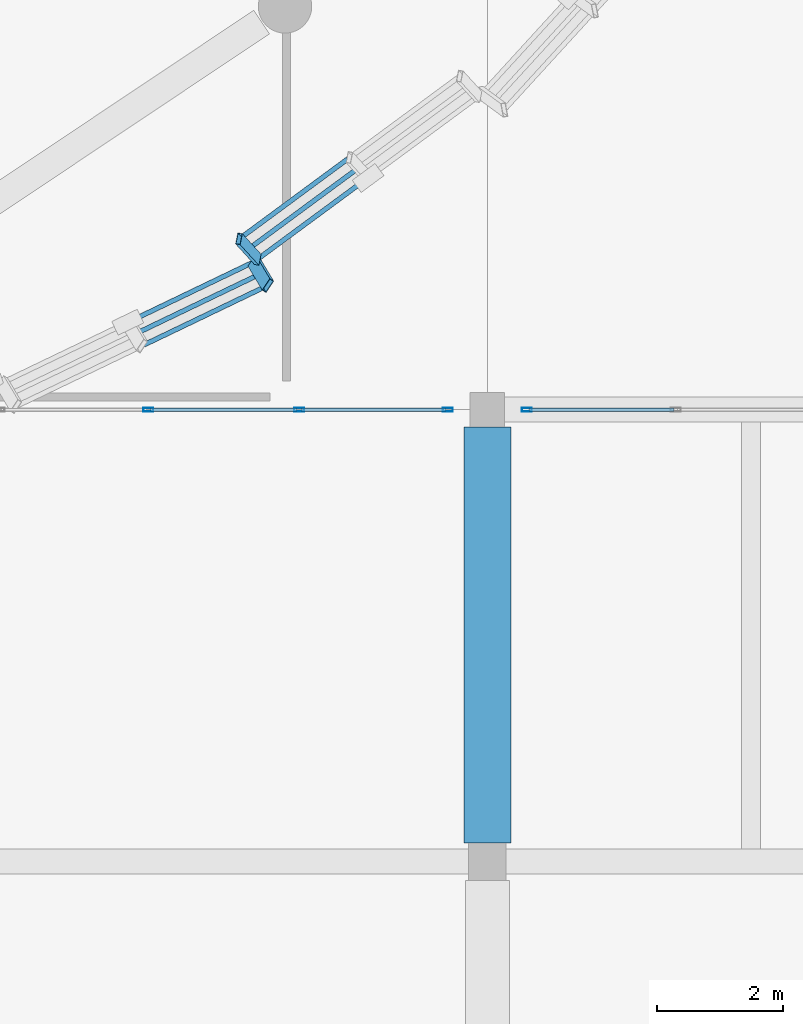
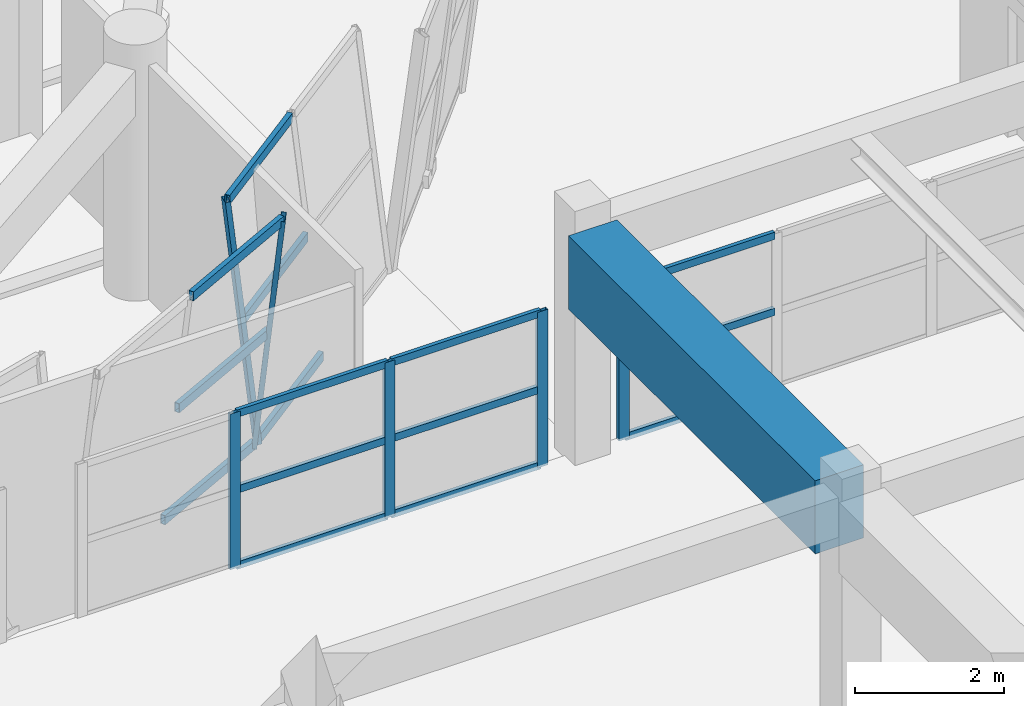
# One storey, part 23 of 74: 21 members, 1 beam, 4 elements without a shape of their own.
"""IFC4 building model written with IfcOpenShell, lengths in metres."""

from ifc_helpers import new_model, si_unit, direction, frame, origin, origin_2d, place, context, subcontext, project, spatial, rectangle, hollow_rectangle, extrude, material, material_profile, profile_set, type_object, element, aggregate, save


model = new_model("IFC4")

# Units and contexts
model_context = context("Model", 3, precision=1e-05, world=origin(), true_north=direction((0.0, 1.0)))
body_context = subcontext(model_context, "Body", "Model", "MODEL_VIEW")
ifc_project = project(units=[si_unit("LENGTHUNIT", "METRE"), si_unit("AREAUNIT", "SQUARE_METRE"), si_unit("VOLUMEUNIT", "CUBIC_METRE"), si_unit("PLANEANGLEUNIT", "RADIAN"), si_unit("MASSUNIT", "GRAM", prefix="KILO")], contexts=[model_context])

# Site, building, storey
site_placement = place(None, origin())
site = spatial("IfcSite", under=ifc_project, at=site_placement, CompositionType="ELEMENT")
building_placement = place(site_placement, origin())
building = spatial("IfcBuilding", under=site, at=building_placement, Name="Korsvaeld Concert Hall", CompositionType="ELEMENT")
storey_placement = place(building_placement, frame((0.0, 0.0, 9.0)))
storey = spatial("IfcBuildingStorey", under=building, at=storey_placement, Name="L02", CompositionType="ELEMENT", Elevation=9.0)

# Beam
ifc_material_1 = material(Name="Concrete C40/50", Category="concrete")
ifc_material_profile_1 = material_profile(ifc_material_1, rectangle(XDim=0.75, YDim=1.199951171875, at=origin_2d()), Name="RC 750x1200")
ifc_profile_set_1 = profile_set([ifc_material_profile_1], Name="Concrete C40/50")
beam_type = type_object("IfcBeamType", Name="BM-RC-750x1200", PredefinedType="T_BEAM", material=ifc_profile_set_1)
beam_placement = place(storey_placement, frame((100.800048828125, 36.300048828125, 3.239990234375), z_axis=(0.0, 1.0, 0.0), x_axis=(-1.0, 0.0, 0.0)))
element("IfcBeam", 1, at=beam_placement, inside=storey, type_object=beam_type, Name="Primary girder 14/F-G L02", PredefinedType="T_BEAM", context=body_context, shape_type="SweptSolid", body=[
    extrude(rectangle(XDim=0.75, YDim=1.199951171875, at=origin_2d()), origin(), (0.0, 0.0, 1.0), 6.625),
])

# Curtain wall, members
ifc_material_2 = material(Name="Anodised bronze and ceramic-fritted safety glass", Category="glass")
curtain_wall_type_1 = type_object("IfcCurtainWallType", Name="CW-TYPE-11", PredefinedType="USERDEFINED", material=ifc_material_2)
curtain_wall_1_placement = place(storey_placement, origin())
curtain_wall_1 = element("IfcCurtainWall", 2, at=curtain_wall_1_placement, inside=storey, type_object=curtain_wall_type_1, Name="Glazed foyer acoustic screen L02-35", ObjectType="CURTAIN WALL", PredefinedType="USERDEFINED")
ifc_material_3 = material(Name="Anodised architectural bronze aluminium", Category="aluminium")
ifc_material_profile_2 = material_profile(ifc_material_3, hollow_rectangle(XDim=0.06005859375, YDim=0.159912109375, WallThickness=0.00390625, at=origin_2d()), Name="CWM 160x60x4")
ifc_profile_set_2 = profile_set([ifc_material_profile_2], Name="Anodised architectural bronze aluminium")
member_type_1 = type_object("IfcMemberType", Name="CWM-ALUM-160x60", PredefinedType="MULLION", material=ifc_profile_set_2)
member_1_placement = place(storey_placement, frame((95.39990234375, 43.199951171875, 0.0), z_axis=(0.0, 0.0, 1.0), x_axis=(0.0, 1.0, 0.0)))
member_1 = element("IfcMember", 3, at=member_1_placement, type_object=member_type_1, Name="CW-11 mullion 2", PredefinedType="MULLION", context=body_context, shape_type="SweptSolid", body=[
    extrude(hollow_rectangle(XDim=0.06005859375, YDim=0.159912109375, WallThickness=0.00390625, at=origin_2d()), origin(), (0.0, 0.0, 1.0), 2.550048828125),
])
member_2_placement = place(storey_placement, frame((97.800048828125, 43.199951171875, 0.0), z_axis=(0.0, 0.0, 1.0), x_axis=(0.0, 1.0, 0.0)))
member_2 = element("IfcMember", 4, at=member_2_placement, type_object=member_type_1, Name="CW-11 mullion 3", PredefinedType="MULLION", context=body_context, shape_type="SweptSolid", body=[
    extrude(hollow_rectangle(XDim=0.06005859375, YDim=0.159912109375, WallThickness=0.00390625, at=origin_2d()), origin(), (0.0, 0.0, 1.0), 2.550048828125),
])
member_3_placement = place(storey_placement, frame((100.169921875, 43.199951171875, 0.0), z_axis=(0.0, 0.0, 1.0), x_axis=(0.0, 1.0, 0.0)))
member_3 = element("IfcMember", 5, at=member_3_placement, type_object=member_type_1, Name="CW-11 mullion 4", PredefinedType="MULLION", context=body_context, shape_type="SweptSolid", body=[
    extrude(hollow_rectangle(XDim=0.06005859375, YDim=0.159912109375, WallThickness=0.00390625, at=origin_2d()), origin(), (0.0, 0.0, 1.0), 2.550048828125),
])

# Curtain wall, member
curtain_wall_type_2 = type_object("IfcCurtainWallType", Name="CW-TYPE-12", PredefinedType="USERDEFINED", material=ifc_material_2)
curtain_wall_2_placement = place(storey_placement, origin())
curtain_wall_2 = element("IfcCurtainWall", 6, at=curtain_wall_2_placement, inside=storey, type_object=curtain_wall_type_2, Name="Glazed foyer acoustic screen L02-36", ObjectType="CURTAIN WALL", PredefinedType="USERDEFINED")
member_4_placement = place(storey_placement, frame((101.429931640625, 43.199951171875, 0.0), z_axis=(0.0, 0.0, 1.0), x_axis=(0.0, 1.0, 0.0)))
member_4 = element("IfcMember", 7, at=member_4_placement, type_object=member_type_1, Name="CW-12 mullion 1", PredefinedType="MULLION", context=body_context, shape_type="SweptSolid", body=[
    extrude(hollow_rectangle(XDim=0.06005859375, YDim=0.159912109375, WallThickness=0.00390625, at=origin_2d()), origin(), (0.0, 0.0, 1.0), 2.550048828125),
])

curtain_wall_type_3 = type_object("IfcCurtainWallType", Name="CW-TYPE-04", PredefinedType="USERDEFINED", material=ifc_material_2)
curtain_wall_3_placement = place(storey_placement, origin())
curtain_wall_3 = element("IfcCurtainWall", 8, at=curtain_wall_3_placement, inside=storey, type_object=curtain_wall_type_3, Name="Crystal curtain-wall facet L02 F28", ObjectType="CURTAIN WALL", PredefinedType="USERDEFINED")
ifc_material_profile_3 = material_profile(ifc_material_3, hollow_rectangle(XDim=0.074951171875, YDim=0.179931640625, WallThickness=0.0048828125, at=origin_2d()), Name="CWM 180x75x5")
ifc_profile_set_3 = profile_set([ifc_material_profile_3], Name="Anodised architectural bronze aluminium")
member_type_2 = type_object("IfcMemberType", Name="CWM-BRONZE-180x75", PredefinedType="MULLION", material=ifc_profile_set_3)
member_5_placement = place(storey_placement, frame((97.1416015625, 45.594970703125, 0.0), z_axis=(-0.076337242942, 0.083589593623, 0.993572043275), x_axis=(0.97747454033, -0.190371504957, 0.091116480989)))
member_5 = element("IfcMember", 9, at=member_5_placement, type_object=member_type_2, Name="CW-CRYS-L02-F28 crystal mullion 1", PredefinedType="MULLION", context=body_context, shape_type="SweptSolid", body=[
    extrude(hollow_rectangle(XDim=0.074951171875, YDim=0.179931640625, WallThickness=0.0048828125, at=origin_2d()), origin(), (0.0, 0.0, 1.0), 3.905029296875),
])

curtain_wall_type_4 = type_object("IfcCurtainWallType", Name="CW-TYPE-03", PredefinedType="USERDEFINED", material=ifc_material_2)
curtain_wall_4_placement = place(storey_placement, origin())
curtain_wall_4 = element("IfcCurtainWall", 10, at=curtain_wall_4_placement, inside=storey, type_object=curtain_wall_type_4, Name="Crystal curtain-wall facet L02 F27", ObjectType="CURTAIN WALL", PredefinedType="USERDEFINED")
ifc_material_profile_4 = material_profile(ifc_material_3, hollow_rectangle(XDim=0.074951171875, YDim=0.219970703125, WallThickness=0.006103515625, at=origin_2d()), Name="CWM 220x75x6")
ifc_profile_set_4 = profile_set([ifc_material_profile_4], Name="Anodised architectural bronze aluminium")
member_type_3 = type_object("IfcMemberType", Name="CWM-BRONZE-220x75", PredefinedType="MULLION", material=ifc_profile_set_4)
member_6_placement = place(storey_placement, frame((97.07763671875, 45.556640625, 0.0), z_axis=(0.057893742062, -0.097281493141, 0.993571651026), x_axis=(-0.829999138773, 0.548349174532, 0.102052008437)))
member_6 = element("IfcMember", 11, at=member_6_placement, type_object=member_type_3, Name="CW-CRYS-L02-F27 crystal mullion 3", PredefinedType="MULLION", context=body_context, shape_type="SweptSolid", body=[
    extrude(hollow_rectangle(XDim=0.074951171875, YDim=0.219970703125, WallThickness=0.006103515625, at=origin_2d()), origin(), (0.0, 0.0, 1.0), 3.905029296875),
])

# Member
ifc_material_profile_5 = material_profile(ifc_material_3, hollow_rectangle(XDim=0.06005859375, YDim=0.1201171875, WallThickness=0.00390625, at=origin_2d()), Name="CWT 120x60x4")
ifc_profile_set_5 = profile_set([ifc_material_profile_5], Name="Anodised architectural bronze aluminium")
member_type_4 = type_object("IfcMemberType", Name="CWT-ALUM-120x60", PredefinedType="USERDEFINED", material=ifc_profile_set_5)
member_7_placement = place(storey_placement, frame((95.429931640625, 43.199951171875, 0.030029296875), z_axis=(1.0, 0.0, 0.0), x_axis=(0.0, 1.0, 0.0)))
member_7 = element("IfcMember", 12, at=member_7_placement, type_object=member_type_4, Name="CW-11 transom 2.1", ObjectType="TRANSOM", PredefinedType="USERDEFINED", context=body_context, shape_type="SweptSolid", body=[
    extrude(hollow_rectangle(XDim=0.06005859375, YDim=0.1201171875, WallThickness=0.00390625, at=origin_2d()), origin(), (0.0, 0.0, 1.0), 2.340087890625),
])

member_8_placement = place(storey_placement, frame((95.429931640625, 43.199951171875, 1.27490234375), z_axis=(1.0, 0.0, 0.0), x_axis=(0.0, 1.0, 0.0)))
member_8 = element("IfcMember", 13, at=member_8_placement, type_object=member_type_4, Name="CW-11 transom 2.2", ObjectType="TRANSOM", PredefinedType="USERDEFINED", context=body_context, shape_type="SweptSolid", body=[
    extrude(hollow_rectangle(XDim=0.06005859375, YDim=0.1201171875, WallThickness=0.00390625, at=origin_2d()), origin(), (0.0, 0.0, 1.0), 2.340087890625),
])

member_9_placement = place(storey_placement, frame((95.429931640625, 43.199951171875, 2.52001953125), z_axis=(1.0, 0.0, 0.0), x_axis=(0.0, 1.0, 0.0)))
member_9 = element("IfcMember", 14, at=member_9_placement, type_object=member_type_4, Name="CW-11 transom 2.3", ObjectType="TRANSOM", PredefinedType="USERDEFINED", context=body_context, shape_type="SweptSolid", body=[
    extrude(hollow_rectangle(XDim=0.06005859375, YDim=0.1201171875, WallThickness=0.00390625, at=origin_2d()), origin(), (0.0, 0.0, 1.0), 2.340087890625),
])

member_10_placement = place(storey_placement, frame((97.830078125, 43.199951171875, 0.030029296875), z_axis=(1.0, 0.0, 0.0), x_axis=(0.0, 1.0, 0.0)))
member_10 = element("IfcMember", 15, at=member_10_placement, type_object=member_type_4, Name="CW-11 transom 3.1", ObjectType="TRANSOM", PredefinedType="USERDEFINED", context=body_context, shape_type="SweptSolid", body=[
    extrude(hollow_rectangle(XDim=0.06005859375, YDim=0.1201171875, WallThickness=0.00390625, at=origin_2d()), origin(), (0.0, 0.0, 1.0), 2.309814453125),
])

member_11_placement = place(storey_placement, frame((97.830078125, 43.199951171875, 1.27490234375), z_axis=(1.0, 0.0, 0.0), x_axis=(0.0, 1.0, 0.0)))
member_11 = element("IfcMember", 16, at=member_11_placement, type_object=member_type_4, Name="CW-11 transom 3.2", ObjectType="TRANSOM", PredefinedType="USERDEFINED", context=body_context, shape_type="SweptSolid", body=[
    extrude(hollow_rectangle(XDim=0.06005859375, YDim=0.1201171875, WallThickness=0.00390625, at=origin_2d()), origin(), (0.0, 0.0, 1.0), 2.309814453125),
])

member_12_placement = place(storey_placement, frame((97.830078125, 43.199951171875, 2.52001953125), z_axis=(1.0, 0.0, 0.0), x_axis=(0.0, 1.0, 0.0)))
member_12 = element("IfcMember", 17, at=member_12_placement, type_object=member_type_4, Name="CW-11 transom 3.3", ObjectType="TRANSOM", PredefinedType="USERDEFINED", context=body_context, shape_type="SweptSolid", body=[
    extrude(hollow_rectangle(XDim=0.06005859375, YDim=0.1201171875, WallThickness=0.00390625, at=origin_2d()), origin(), (0.0, 0.0, 1.0), 2.309814453125),
])

aggregate(curtain_wall_1, [member_1, member_2, member_3, member_7, member_8, member_9, member_10, member_11, member_12])

member_13_placement = place(storey_placement, frame((101.4599609375, 43.199951171875, 0.030029296875), z_axis=(1.0, 0.0, 0.0), x_axis=(0.0, 1.0, 0.0)))
member_13 = element("IfcMember", 18, at=member_13_placement, type_object=member_type_4, Name="CW-12 transom 1.1", ObjectType="TRANSOM", PredefinedType="USERDEFINED", context=body_context, shape_type="SweptSolid", body=[
    extrude(hollow_rectangle(XDim=0.06005859375, YDim=0.1201171875, WallThickness=0.00390625, at=origin_2d()), origin(), (0.0, 0.0, 1.0), 2.31005859375),
])

member_14_placement = place(storey_placement, frame((101.4599609375, 43.199951171875, 1.27490234375), z_axis=(1.0, 0.0, 0.0), x_axis=(0.0, 1.0, 0.0)))
member_14 = element("IfcMember", 19, at=member_14_placement, type_object=member_type_4, Name="CW-12 transom 1.2", ObjectType="TRANSOM", PredefinedType="USERDEFINED", context=body_context, shape_type="SweptSolid", body=[
    extrude(hollow_rectangle(XDim=0.06005859375, YDim=0.1201171875, WallThickness=0.00390625, at=origin_2d()), origin(), (0.0, 0.0, 1.0), 2.31005859375),
])

member_15_placement = place(storey_placement, frame((101.4599609375, 43.199951171875, 2.52001953125), z_axis=(1.0, 0.0, 0.0), x_axis=(0.0, 1.0, 0.0)))
member_15 = element("IfcMember", 20, at=member_15_placement, type_object=member_type_4, Name="CW-12 transom 1.3", ObjectType="TRANSOM", PredefinedType="USERDEFINED", context=body_context, shape_type="SweptSolid", body=[
    extrude(hollow_rectangle(XDim=0.06005859375, YDim=0.1201171875, WallThickness=0.00390625, at=origin_2d()), origin(), (0.0, 0.0, 1.0), 2.31005859375),
])

aggregate(curtain_wall_2, [member_4, member_13, member_14, member_15])

ifc_material_profile_6 = material_profile(ifc_material_3, hollow_rectangle(XDim=0.074951171875, YDim=0.14990234375, WallThickness=0.0048828125, at=origin_2d()), Name="CWT 150x75x5")
ifc_profile_set_6 = profile_set([ifc_material_profile_6], Name="Anodised architectural bronze aluminium")
member_type_5 = type_object("IfcMemberType", Name="CWT-BRONZE-150x75", PredefinedType="USERDEFINED", material=ifc_profile_set_6)
member_16_placement = place(storey_placement, frame((95.10693359375, 44.606689453125, 0.030029296875), z_axis=(0.901508884705, 0.432760592935, 0.0), x_axis=(-0.432760592935, 0.901508884705, 0.0)))
member_16 = element("IfcMember", 21, at=member_16_placement, type_object=member_type_5, Name="CW-CRYS-L02-F27 crystal transom 2.1", ObjectType="TRANSOM", PredefinedType="USERDEFINED", context=body_context, shape_type="SweptSolid", body=[
    extrude(hollow_rectangle(XDim=0.074951171875, YDim=0.14990234375, WallThickness=0.0048828125, at=origin_2d()), origin(), (0.0, 0.0, 1.0), 2.150634765625),
])

member_17_placement = place(storey_placement, frame((95.21826171875, 44.419677734375, 1.93994140625), z_axis=(0.901508884705, 0.432760592935, 0.0), x_axis=(-0.432760592935, 0.901508884705, 0.0)))
member_17 = element("IfcMember", 22, at=member_17_placement, type_object=member_type_5, Name="CW-CRYS-L02-F27 crystal transom 2.2", ObjectType="TRANSOM", PredefinedType="USERDEFINED", context=body_context, shape_type="SweptSolid", body=[
    extrude(hollow_rectangle(XDim=0.074951171875, YDim=0.14990234375, WallThickness=0.0048828125, at=origin_2d()), origin(), (0.0, 0.0, 1.0), 2.150634765625),
])

member_18_placement = place(storey_placement, frame((95.32958984375, 44.232666015625, 3.85009765625), z_axis=(0.901508884705, 0.432760592935, 0.0), x_axis=(-0.432760592935, 0.901508884705, 0.0)))
member_18 = element("IfcMember", 23, at=member_18_placement, type_object=member_type_5, Name="CW-CRYS-L02-F27 crystal transom 2.3", ObjectType="TRANSOM", PredefinedType="USERDEFINED", context=body_context, shape_type="SweptSolid", body=[
    extrude(hollow_rectangle(XDim=0.074951171875, YDim=0.14990234375, WallThickness=0.0048828125, at=origin_2d()), origin(), (0.0, 0.0, 1.0), 2.150634765625),
])

aggregate(curtain_wall_4, [member_6, member_16, member_17, member_18])

member_19_placement = place(storey_placement, frame((97.169677734375, 45.619873046875, 0.030029296875), z_axis=(0.804904507896, 0.593404358906, 0.0), x_axis=(-0.593404358906, 0.804904507896, 0.0)))
member_19 = element("IfcMember", 24, at=member_19_placement, type_object=member_type_5, Name="CW-CRYS-L02-F28 crystal transom 1.1", ObjectType="TRANSOM", PredefinedType="USERDEFINED", context=body_context, shape_type="SweptSolid", body=[
    extrude(hollow_rectangle(XDim=0.074951171875, YDim=0.14990234375, WallThickness=0.0048828125, at=origin_2d()), origin(), (0.0, 0.0, 1.0), 2.10888671875),
])

member_20_placement = place(storey_placement, frame((97.022705078125, 45.780517578125, 1.93994140625), z_axis=(0.804904507896, 0.593404358906, 0.0), x_axis=(-0.593404358906, 0.804904507896, 0.0)))
member_20 = element("IfcMember", 25, at=member_20_placement, type_object=member_type_5, Name="CW-CRYS-L02-F28 crystal transom 1.2", ObjectType="TRANSOM", PredefinedType="USERDEFINED", context=body_context, shape_type="SweptSolid", body=[
    extrude(hollow_rectangle(XDim=0.074951171875, YDim=0.14990234375, WallThickness=0.0048828125, at=origin_2d()), origin(), (0.0, 0.0, 1.0), 2.10888671875),
])

member_21_placement = place(storey_placement, frame((96.8759765625, 45.941162109375, 3.85009765625), z_axis=(0.804904507896, 0.593404358906, 0.0), x_axis=(-0.593404358906, 0.804904507896, 0.0)))
member_21 = element("IfcMember", 26, at=member_21_placement, type_object=member_type_5, Name="CW-CRYS-L02-F28 crystal transom 1.3", ObjectType="TRANSOM", PredefinedType="USERDEFINED", context=body_context, shape_type="SweptSolid", body=[
    extrude(hollow_rectangle(XDim=0.074951171875, YDim=0.14990234375, WallThickness=0.0048828125, at=origin_2d()), origin(), (0.0, 0.0, 1.0), 2.10888671875),
])

aggregate(curtain_wall_3, [member_5, member_19, member_20, member_21])

save(model, "model.ifc")
